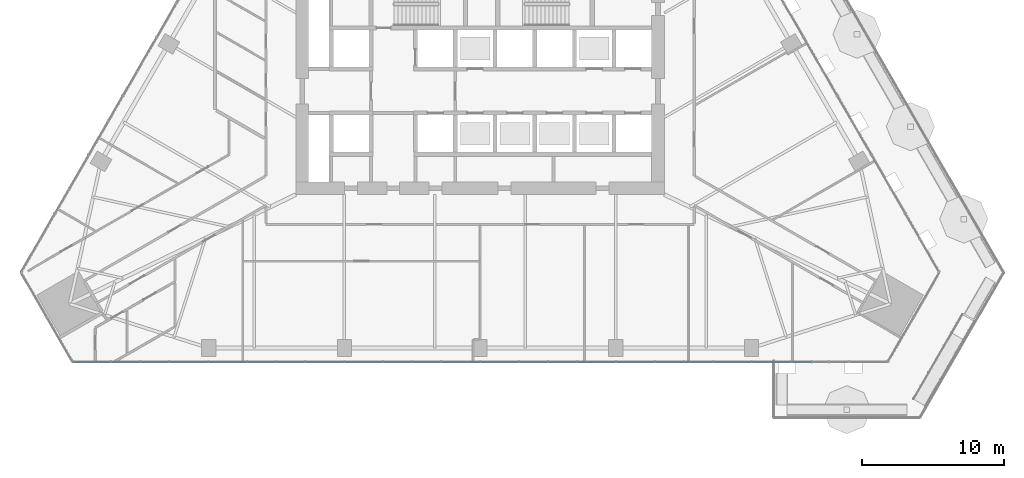
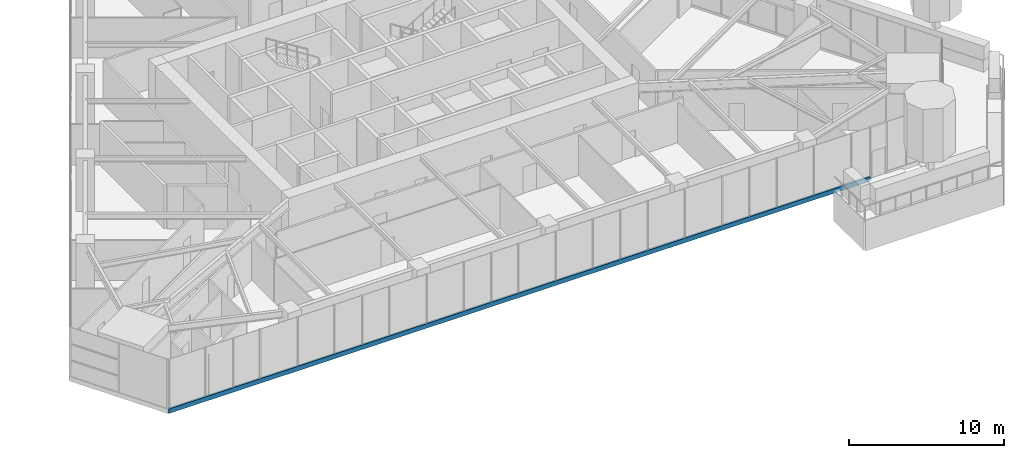
# One storey, part 3 of 26: 1 member, 1 element without a shape of its own.
"""IFC4 building model written with IfcOpenShell, lengths in metres."""

from ifc_helpers import new_model, si_unit, direction, frame, origin, origin_2d, place, context, subcontext, project, spatial, rectangle, extrude, material, layer, layer_set, material_profile, profile_set, type_object, element, aggregate, save


model = new_model("IFC4")

# Units and contexts
model_context = context("Model", 3, precision=1e-05, world=origin(), true_north=direction((0.0, 1.0)))
body_context = subcontext(model_context, "Body", "Model", "MODEL_VIEW")
ifc_project = project(units=[si_unit("LENGTHUNIT", "METRE"), si_unit("AREAUNIT", "SQUARE_METRE"), si_unit("VOLUMEUNIT", "CUBIC_METRE"), si_unit("PLANEANGLEUNIT", "RADIAN"), si_unit("MASSUNIT", "GRAM", prefix="KILO")], contexts=[model_context])

# Site, building, storey
site_placement = place(None, origin())
site = spatial("IfcSite", under=ifc_project, at=site_placement, CompositionType="ELEMENT")
building_placement = place(site_placement, origin())
building = spatial("IfcBuilding", under=site, at=building_placement, Name="Firuza Gate Tower and Library", CompositionType="ELEMENT")
storey_placement = place(building_placement, frame((0.0, 0.0, 52.60009765625)))
storey = spatial("IfcBuildingStorey", under=building, at=storey_placement, Name="L11", CompositionType="ELEMENT", Elevation=52.60009765625)

# Curtain wall, member
ifc_material_1 = material(Name="Aluminium 6063-T6", Category="aluminium")
ifc_layer = layer(ifc_material_1, 0.14990234375)
ifc_layer_set = layer_set([ifc_layer], Name="Unitised curtain wall, offices")
curtain_wall_type = type_object("IfcCurtainWallType", Name="Unitised curtain wall, offices", PredefinedType="NOTDEFINED", material=ifc_layer_set)
curtain_wall_placement = place(storey_placement, origin())
curtain_wall = element("IfcCurtainWall", 1, at=curtain_wall_placement, inside=storey, type_object=curtain_wall_type, Name="CW1 L11 S face", PredefinedType="NOTDEFINED")
ifc_material_2 = material(Name="Aluminium 6063-T6", Category="aluminium")
ifc_material_profile = material_profile(ifc_material_2, rectangle(XDim=0.14990234375, YDim=0.35009765625, at=origin_2d()))
ifc_profile_set = profile_set([ifc_material_profile], Name="Aluminium 6063-T6")
member_type = type_object("IfcMemberType", Name="Curtain wall transom 350x150", PredefinedType="USERDEFINED", material=ifc_profile_set)
member_placement = place(storey_placement, frame((46.255126953125, 54.197265625, -0.025146484375), z_axis=(1.0, 0.0, 0.0), x_axis=(0.0, 1.0, 0.0)))
member = element("IfcMember", 2, at=member_placement, type_object=member_type, Name="Transom", ObjectType="TRANSOM", PredefinedType="USERDEFINED", context=body_context, shape_type="SweptSolid", body=[
    extrude(rectangle(XDim=0.14990234375, YDim=0.35009765625, at=origin_2d()), origin(), (0.0, 0.0, 1.0), 52.128173828125),
])
aggregate(curtain_wall, [member])

save(model, "model.ifc")
